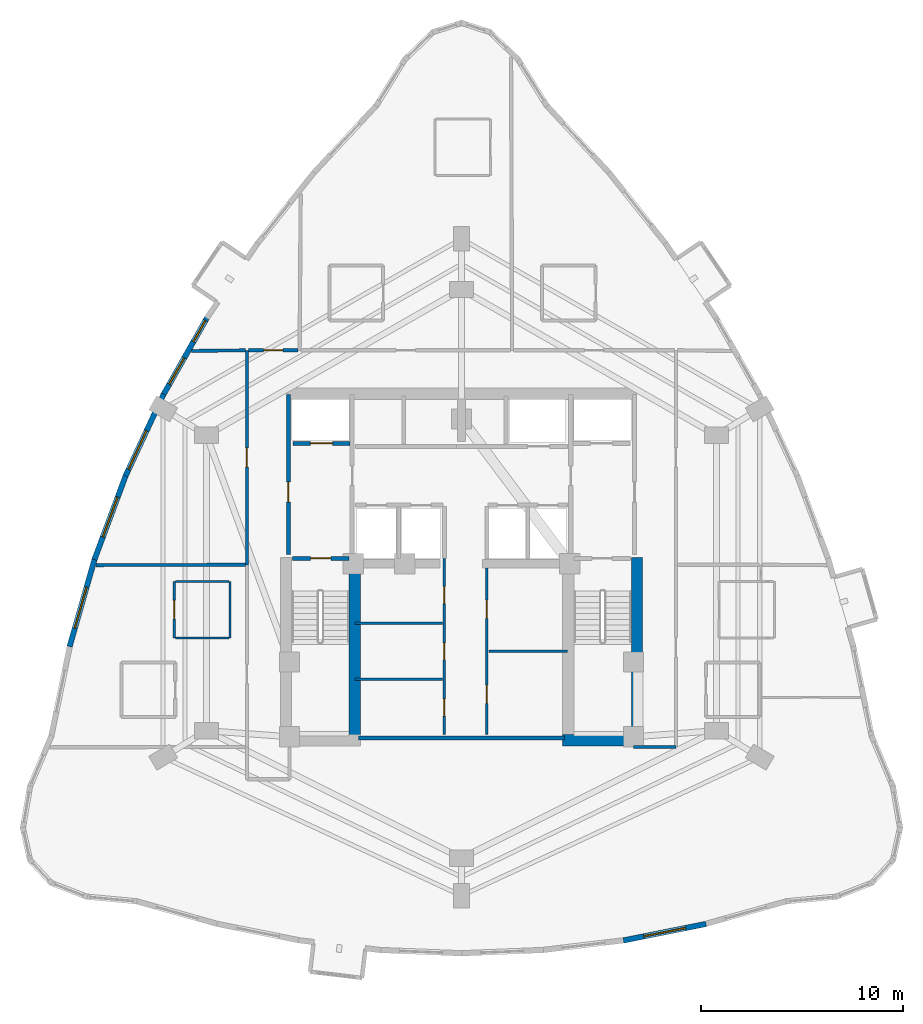
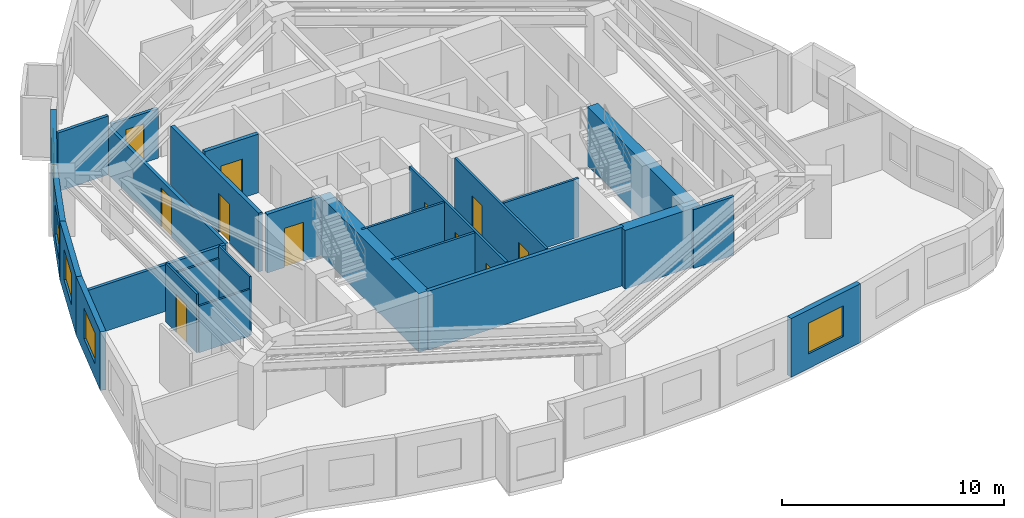
# One storey, part 4 of 9: 26 walls, 11 doors, 6 windows, 17 openings.
"""IFC4 building model written with IfcOpenShell, lengths in metres."""

from ifc_helpers import new_model, si_unit, direction, frame, frame_2d, origin, place, context, subcontext, project, spatial, rectangle, extrude, material, layer, layer_set, type_object, element, fill, save


model = new_model("IFC4")

# Units and contexts
model_context = context("Model", 3, precision=1e-05, world=origin(), true_north=direction((0.0, 1.0)))
body_context = subcontext(model_context, "Body", "Model", "MODEL_VIEW")
ifc_project = project(units=[si_unit("LENGTHUNIT", "METRE"), si_unit("AREAUNIT", "SQUARE_METRE"), si_unit("VOLUMEUNIT", "CUBIC_METRE"), si_unit("PLANEANGLEUNIT", "RADIAN"), si_unit("MASSUNIT", "GRAM", prefix="KILO")], contexts=[model_context])

# Site, building, storey
site_placement = place(None, origin())
site = spatial("IfcSite", under=ifc_project, at=site_placement, CompositionType="ELEMENT")
building_placement = place(site_placement, origin())
building = spatial("IfcBuilding", under=site, at=building_placement, Name="Miruveldt Soraemaru", CompositionType="ELEMENT")
storey_placement = place(building_placement, frame((0.0, 0.0, 138.89990234375)))
storey = spatial("IfcBuildingStorey", under=building, at=storey_placement, Name="L38", CompositionType="ELEMENT", Elevation=138.89990234375)

# Walls
ifc_material_1 = material(Name="Concrete C70/85 (70 MPa)", Category="concrete")
ifc_layer_1 = layer(ifc_material_1, 0.550048828125, Name="Concrete C70/85 (70 MPa)", Category="concrete")
ifc_layer_set_1 = layer_set([ifc_layer_1], Name="Concrete C70/85 (70 MPa)")
wall_type_1 = type_object("IfcWallType", Name="WALL-CW-550", PredefinedType="SHEAR", material=ifc_layer_set_1)
wall_1_placement = place(storey_placement, frame((49.0, 35.324951171875, 0.0), z_axis=(0.0, 0.0, 1.0), x_axis=(1.0, 0.0, 0.0)))
element("IfcWall", 1, at=wall_1_placement, inside=storey, type_object=wall_type_1, Name="L38 Central Core Shear Wall S2", PredefinedType="SHEAR", context=body_context, shape_type="SweptSolid", body=[
    extrude(rectangle(XDim=3.949951171875, YDim=0.550048828125, at=frame_2d((1.97509765625, 0.0))), origin(), (0.0, 0.0, 1.0), 3.235107421875),
])
wall_2_placement = place(storey_placement, frame((52.675048828125, 35.050048828125, 0.0), z_axis=(0.0, 0.0, 1.0), x_axis=(0.0, 1.0, 0.0)))
element("IfcWall", 2, at=wall_2_placement, inside=storey, type_object=wall_type_1, Name="L38 Central Core Shear Wall E1", PredefinedType="SHEAR", context=body_context, shape_type="SweptSolid", body=[
    extrude(rectangle(XDim=9.300048828125, YDim=0.550048828125, at=frame_2d((4.64990234375, 0.0))), origin(), (0.0, 0.0, 1.0), 3.235107421875),
])
wall_3_placement = place(storey_placement, frame((38.72509765625, 35.39990234375, 0.0), z_axis=(0.0, 0.0, 1.0), x_axis=(0.0, 1.0, 0.0)))
element("IfcWall", 3, at=wall_3_placement, inside=storey, type_object=wall_type_1, Name="L38 Central Core Shear Wall SW-INT", PredefinedType="SHEAR", context=body_context, shape_type="SweptSolid", body=[
    extrude(rectangle(XDim=8.9501953125, YDim=0.550048828125, at=frame_2d((4.47509765625, 0.0))), origin(), (0.0, 0.0, 1.0), 3.235107421875),
])

# Wall, openings, windows
ifc_material_2 = material(Name="Precast concrete C45/55 (45 MPa)", Category="concrete")
ifc_layer_2 = layer(ifc_material_2, 0.27001953125, Name="Precast concrete C45/55 (45 MPa)", Category="concrete")
ifc_layer_set_2 = layer_set([ifc_layer_2], Name="Precast concrete C45/55 (45 MPa)")
wall_type_2 = type_object("IfcWallType", Name="WALL-EXT-PC270", PredefinedType="SOLIDWALL", material=ifc_layer_set_2)
wall_4_placement = place(storey_placement, frame((31.446044921875, 56.247314453125, 0.0), z_axis=(0.0, 0.0, 1.0), x_axis=(-0.493387123511, -0.869809833443, 0.0)))
wall_4 = element("IfcWall", 4, at=wall_4_placement, inside=storey, type_object=wall_type_2, Name="L38 Precast Concrete Facade Wall 10", PredefinedType="SOLIDWALL", context=body_context, shape_type="SweptSolid", body=[
    extrude(rectangle(XDim=4.456298828125, YDim=0.27001953125, at=frame_2d((2.22802734375, 0.0))), origin(), (0.0, 0.0, 1.0), 3.235107421875),
])
opening_1_placement = place(wall_4_placement, frame((0.2041015625, 0.0, 0.780029296875)))
opening_1 = element("IfcOpeningElement", 5, at=opening_1_placement, cuts=wall_4, Name="Opening WN-4", PredefinedType="OPENING", context=body_context, shape_type="SweptSolid", body=[
    extrude(rectangle(XDim=1.199951171875, YDim=1.550048828125, at=frame_2d((0.60009765625, 0.77490234375))), frame((0.0, 0.14501953125, 0.0), z_axis=(0.0, -1.0, 0.0), x_axis=(1.0, 0.0, 0.0)), (0.0, 0.0, 1.0), 0.2900390625),
])
opening_2_placement = place(wall_4_placement, frame((2.323974609375, 0.0, 0.800048828125)))
opening_2 = element("IfcOpeningElement", 6, at=opening_2_placement, cuts=wall_4, Name="Opening WN-3", PredefinedType="OPENING", context=body_context, shape_type="SweptSolid", body=[
    extrude(rectangle(XDim=1.5, YDim=1.60009765625, at=frame_2d((0.75, 0.800048828125))), frame((0.0, 0.14501953125, 0.0), z_axis=(0.0, -1.0, 0.0), x_axis=(1.0, 0.0, 0.0)), (0.0, 0.0, 1.0), 0.2900390625),
])
ifc_material_3 = material(Name="Triple low-e insulated glazing", Category="glass")
window_type_1 = type_object("IfcWindowType", Name="WIN-PUNCH-1200x1550", PartitioningType="SINGLE_PANEL", PredefinedType="WINDOW", material=ifc_material_3)
window_1_placement = place(opening_1_placement, origin())
window_1 = element("IfcWindow", 7, at=window_1_placement, inside=storey, type_object=window_type_1, Name="L38 Punched Triple-Glazed Window 10.1", OverallHeight=1.550048828125, OverallWidth=1.199951171875, PartitioningType="SINGLE_PANEL", PredefinedType="WINDOW", context=body_context, shape_type="SweptSolid", body=[
    extrude(rectangle(XDim=1.199951171875, YDim=1.550048828125, at=frame_2d((0.60009765625, 0.77490234375))), frame((0.0, 0.030029296875, 0.0), z_axis=(0.0, -1.0, 0.0), x_axis=(1.0, 0.0, 0.0)), (0.0, 0.0, 1.0), 0.06005859375),
])
fill(opening_1, window_1)
window_type_2 = type_object("IfcWindowType", Name="WIN-PUNCH-1500x1600", PartitioningType="SINGLE_PANEL", PredefinedType="WINDOW", material=ifc_material_3)
window_2_placement = place(opening_2_placement, origin())
window_2 = element("IfcWindow", 8, at=window_2_placement, inside=storey, type_object=window_type_2, Name="L38 Punched Triple-Glazed Window 10.2", OverallHeight=1.60009765625, OverallWidth=1.5, PartitioningType="SINGLE_PANEL", PredefinedType="WINDOW", context=body_context, shape_type="SweptSolid", body=[
    extrude(rectangle(XDim=1.5, YDim=1.60009765625, at=frame_2d((0.75, 0.800048828125))), frame((0.0, 0.030029296875, 0.0), z_axis=(0.0, -1.0, 0.0), x_axis=(1.0, 0.0, 0.0)), (0.0, 0.0, 1.0), 0.06005859375),
])
fill(opening_2, window_2)

# Wall, opening, window
wall_5_placement = place(storey_placement, frame((29.279296875, 52.43310546875, 0.0), z_axis=(0.0, 0.0, 1.0), x_axis=(-0.422279541347, -0.906465657904, 0.0)))
wall_5 = element("IfcWall", 9, at=wall_5_placement, inside=storey, type_object=wall_type_2, Name="L38 Precast Concrete Facade Wall 11", PredefinedType="SOLIDWALL", context=body_context, shape_type="SweptSolid", body=[
    extrude(rectangle(XDim=4.456298828125, YDim=0.27001953125, at=frame_2d((2.22802734375, 0.0))), origin(), (0.0, 0.0, 1.0), 3.235107421875),
])
opening_3_placement = place(wall_5_placement, frame((1.9970703125, 0.0, 0.800048828125)))
opening_3 = element("IfcOpeningElement", 10, at=opening_3_placement, cuts=wall_5, Name="Opening WN-1", PredefinedType="OPENING", context=body_context, shape_type="SweptSolid", body=[
    extrude(rectangle(XDim=2.10009765625, YDim=1.699951171875, at=frame_2d((1.050048828125, 0.85009765625))), frame((0.0, 0.14501953125, 0.0), z_axis=(0.0, -1.0, 0.0), x_axis=(1.0, 0.0, 0.0)), (0.0, 0.0, 1.0), 0.2900390625),
])
window_type_3 = type_object("IfcWindowType", Name="WIN-PUNCH-2100x1700", PartitioningType="SINGLE_PANEL", PredefinedType="WINDOW", material=ifc_material_3)
window_3_placement = place(opening_3_placement, origin())
window_3 = element("IfcWindow", 11, at=window_3_placement, inside=storey, type_object=window_type_3, Name="L38 Punched Triple-Glazed Window 11.1", OverallHeight=1.699951171875, OverallWidth=2.10009765625, PartitioningType="SINGLE_PANEL", PredefinedType="WINDOW", context=body_context, shape_type="SweptSolid", body=[
    extrude(rectangle(XDim=2.10009765625, YDim=1.699951171875, at=frame_2d((1.050048828125, 0.85009765625))), frame((0.0, 0.030029296875, 0.0), z_axis=(0.0, -1.0, 0.0), x_axis=(1.0, 0.0, 0.0)), (0.0, 0.0, 1.0), 0.06005859375),
])
fill(opening_3, window_3)

wall_6_placement = place(storey_placement, frame((27.42431640625, 48.4580078125, 0.0), z_axis=(0.0, 0.0, 1.0), x_axis=(-0.349028406378, -0.937112144592, 0.0)))
wall_6 = element("IfcWall", 12, at=wall_6_placement, inside=storey, type_object=wall_type_2, Name="L38 Precast Concrete Facade Wall 12", PredefinedType="SOLIDWALL", context=body_context, shape_type="SweptSolid", body=[
    extrude(rectangle(XDim=4.484375, YDim=0.27001953125, at=frame_2d((2.2421875, 0.0))), origin(), (0.0, 0.0, 1.0), 3.235107421875),
])
opening_4_placement = place(wall_6_placement, frame((1.18701171875, 0.0, 0.800048828125)))
opening_4 = element("IfcOpeningElement", 13, at=opening_4_placement, cuts=wall_6, Name="Opening WN-1", PredefinedType="OPENING", context=body_context, shape_type="SweptSolid", body=[
    extrude(rectangle(XDim=2.10009765625, YDim=1.699951171875, at=frame_2d((1.050048828125, 0.85009765625))), frame((0.0, 0.14501953125, 0.0), z_axis=(0.0, -1.0, 0.0), x_axis=(1.0, 0.0, 0.0)), (0.0, 0.0, 1.0), 0.2900390625),
])
window_4_placement = place(opening_4_placement, origin())
window_4 = element("IfcWindow", 14, at=window_4_placement, inside=storey, type_object=window_type_3, Name="L38 Punched Triple-Glazed Window 12.1", OverallHeight=1.699951171875, OverallWidth=2.10009765625, PartitioningType="SINGLE_PANEL", PredefinedType="WINDOW", context=body_context, shape_type="SweptSolid", body=[
    extrude(rectangle(XDim=2.10009765625, YDim=1.699951171875, at=frame_2d((1.050048828125, 0.85009765625))), frame((0.0, 0.030029296875, 0.0), z_axis=(0.0, -1.0, 0.0), x_axis=(1.0, 0.0, 0.0)), (0.0, 0.0, 1.0), 0.06005859375),
])
fill(opening_4, window_4)

wall_7_placement = place(storey_placement, frame((25.881103515625, 44.322021484375, 0.0), z_axis=(0.0, 0.0, 1.0), x_axis=(-0.275005210101, -0.961442735901, 0.0)))
wall_7 = element("IfcWall", 15, at=wall_7_placement, inside=storey, type_object=wall_type_2, Name="L38 Precast Concrete Facade Wall 13", PredefinedType="SOLIDWALL", context=body_context, shape_type="SweptSolid", body=[
    extrude(rectangle(XDim=4.5400390625, YDim=0.27001953125, at=frame_2d((2.27001953125, 0.0))), origin(), (0.0, 0.0, 1.0), 3.235107421875),
])
opening_5_placement = place(wall_7_placement, frame((1.49609375, 0.0, 0.800048828125)))
opening_5 = element("IfcOpeningElement", 16, at=opening_5_placement, cuts=wall_7, Name="Opening WN-1", PredefinedType="OPENING", context=body_context, shape_type="SweptSolid", body=[
    extrude(rectangle(XDim=2.10009765625, YDim=1.699951171875, at=frame_2d((1.050048828125, 0.85009765625))), frame((0.0, 0.14501953125, 0.0), z_axis=(0.0, -1.0, 0.0), x_axis=(1.0, 0.0, 0.0)), (0.0, 0.0, 1.0), 0.2900390625),
])
window_5_placement = place(opening_5_placement, origin())
window_5 = element("IfcWindow", 17, at=window_5_placement, inside=storey, type_object=window_type_3, Name="L38 Punched Triple-Glazed Window 13.1", OverallHeight=1.699951171875, OverallWidth=2.10009765625, PartitioningType="SINGLE_PANEL", PredefinedType="WINDOW", context=body_context, shape_type="SweptSolid", body=[
    extrude(rectangle(XDim=2.10009765625, YDim=1.699951171875, at=frame_2d((1.050048828125, 0.85009765625))), frame((0.0, 0.030029296875, 0.0), z_axis=(0.0, -1.0, 0.0), x_axis=(1.0, 0.0, 0.0)), (0.0, 0.0, 1.0), 0.06005859375),
])
fill(opening_5, window_5)

wall_8_placement = place(storey_placement, frame((51.998779296875, 25.43310546875, 0.0), z_axis=(0.0, 0.0, 1.0), x_axis=(0.980587436878, 0.19608232617, 0.0)))
wall_8 = element("IfcWall", 18, at=wall_8_placement, inside=storey, type_object=wall_type_2, Name="L38 Precast Concrete Facade Wall 27", PredefinedType="SOLIDWALL", context=body_context, shape_type="SweptSolid", body=[
    extrude(rectangle(XDim=4.166015625, YDim=0.27001953125, at=frame_2d((2.0830078125, 0.0))), origin(), (0.0, 0.0, 1.0), 3.235107421875),
])
opening_6_placement = place(wall_8_placement, frame((1.032958984375, 0.0, 0.800048828125)))
opening_6 = element("IfcOpeningElement", 19, at=opening_6_placement, cuts=wall_8, Name="Opening WN-1", PredefinedType="OPENING", context=body_context, shape_type="SweptSolid", body=[
    extrude(rectangle(XDim=2.10009765625, YDim=1.699951171875, at=frame_2d((1.050048828125, 0.85009765625))), frame((0.0, 0.14501953125, 0.0), z_axis=(0.0, -1.0, 0.0), x_axis=(1.0, 0.0, 0.0)), (0.0, 0.0, 1.0), 0.2900390625),
])
window_6_placement = place(opening_6_placement, origin())
window_6 = element("IfcWindow", 20, at=window_6_placement, inside=storey, type_object=window_type_3, Name="L38 Punched Triple-Glazed Window 27.1", OverallHeight=1.699951171875, OverallWidth=2.10009765625, PartitioningType="SINGLE_PANEL", PredefinedType="WINDOW", context=body_context, shape_type="SweptSolid", body=[
    extrude(rectangle(XDim=2.10009765625, YDim=1.699951171875, at=frame_2d((1.050048828125, 0.85009765625))), frame((0.0, 0.030029296875, 0.0), z_axis=(0.0, -1.0, 0.0), x_axis=(1.0, 0.0, 0.0)), (0.0, 0.0, 1.0), 0.06005859375),
])
fill(opening_6, window_6)

# Wall, opening, door
ifc_material_4 = material(Name="Gypsum plasterboard lining", Category="gypsum")
ifc_layer_3 = layer(ifc_material_4, 0.10009765625, Name="Gypsum plasterboard lining", Category="gypsum")
ifc_layer_set_3 = layer_set([ifc_layer_3], Name="Gypsum plasterboard lining")
wall_type_3 = type_object("IfcWallType", Name="WALL-INT-P100", PredefinedType="PARTITIONING", material=ifc_layer_set_3)
wall_9_placement = place(storey_placement, frame((29.804931640625, 43.179931640625, 0.0), z_axis=(0.0, 0.0, 1.0), x_axis=(0.0, -1.0, 0.0)))
wall_9 = element("IfcWall", 21, at=wall_9_placement, inside=storey, type_object=wall_type_3, Name="L38 Partition Wall 35", PredefinedType="PARTITIONING", context=body_context, shape_type="SweptSolid", body=[
    extrude(rectangle(XDim=2.800048828125, YDim=0.10009765625, at=frame_2d((1.39990234375, 0.0))), origin(), (0.0, 0.0, 1.0), 3.235107421875),
])
opening_7_placement = place(wall_9_placement, frame((0.93994140625, 0.0, 0.0)))
opening_7 = element("IfcOpeningElement", 22, at=opening_7_placement, cuts=wall_9, Name="Opening D3A", PredefinedType="OPENING", context=body_context, shape_type="SweptSolid", body=[
    extrude(rectangle(XDim=0.919921875, YDim=2.10009765625, at=frame_2d((0.4599609375, 1.050048828125))), frame((0.0, 0.06005859375, 0.0), z_axis=(0.0, -1.0, 0.0), x_axis=(1.0, 0.0, 0.0)), (0.0, 0.0, 1.0), 0.1201171875),
])
ifc_material_5 = material(Name="Anodised aluminium EN AW-6063 T6", Category="aluminium")
door_type_1 = type_object("IfcDoorType", Name="DOOR-INT-920", OperationType="NOTDEFINED", PredefinedType="DOOR", material=ifc_material_5)
door_1_placement = place(opening_7_placement, origin())
door_1 = element("IfcDoor", 23, at=door_1_placement, inside=storey, type_object=door_type_1, Name="L38 Unit 3805 KIT Door", OperationType="SINGLE_SWING_RIGHT", OverallHeight=2.10009765625, OverallWidth=0.919921875, PredefinedType="DOOR", context=body_context, shape_type="SweptSolid", body=[
    extrude(rectangle(XDim=0.919921875, YDim=2.10009765625, at=frame_2d((0.4599609375, 1.050048828125))), frame((0.0, 0.02490234375, 0.0), z_axis=(0.0, -1.0, 0.0), x_axis=(1.0, 0.0, 0.0)), (0.0, 0.0, 1.0), 0.050048828125),
])
fill(opening_7, door_1)

# Walls
wall_10_placement = place(storey_placement, frame((32.554931640625, 40.3798828125, 0.0), z_axis=(0.0, 0.0, 1.0), x_axis=(0.0, 1.0, 0.0)))
element("IfcWall", 24, at=wall_10_placement, inside=storey, type_object=wall_type_3, Name="L38 Partition Wall 33", PredefinedType="PARTITIONING", context=body_context, shape_type="SweptSolid", body=[
    extrude(rectangle(XDim=2.800048828125, YDim=0.10009765625, at=frame_2d((1.39990234375, 0.0))), origin(), (0.0, 0.0, 1.0), 3.235107421875),
])
for number, where, z_axis, x_axis, name in (
    (25, (32.5048828125, 43.179931640625, 0.0), (0.0, 0.0, 1.0), (-1.0, 0.0, 0.0), "L38 Partition Wall 34"),
    (26, (29.85498046875, 40.3798828125, 0.0), (0.0, 0.0, 1.0), (1.0, 0.0, 0.0), "L38 Partition Wall 36"),
):
    element("IfcWall", number, at=place(storey_placement, frame(where, z_axis=z_axis, x_axis=x_axis)), inside=storey, type_object=wall_type_3, Name=name, PredefinedType="PARTITIONING", context=body_context, shape_type="SweptSolid", body=[
        extrude(rectangle(XDim=2.64990234375, YDim=0.10009765625, at=frame_2d((1.324951171875, 0.0))), origin(), (0.0, 0.0, 1.0), 2.572998046875),
    ])

# Wall, openings, doors
ifc_layer_4 = layer(ifc_material_4, 0.1201171875, Name="Gypsum plasterboard lining", Category="gypsum")
ifc_layer_set_4 = layer_set([ifc_layer_4], Name="Gypsum plasterboard lining")
wall_type_4 = type_object("IfcWallType", Name="WALL-INT-P120", PredefinedType="PARTITIONING", material=ifc_layer_set_4)
wall_11_placement = place(storey_placement, frame((43.14990234375, 35.60009765625, 0.0), z_axis=(0.0, 0.0, 1.0), x_axis=(0.0, 1.0, 0.0)))
wall_11 = element("IfcWall", 27, at=wall_11_placement, inside=storey, type_object=wall_type_4, Name="L38 Core Compartment Wall SP-WL", PredefinedType="PARTITIONING", context=body_context, shape_type="SweptSolid", body=[
    extrude(rectangle(XDim=8.699951171875, YDim=0.1201171875, at=frame_2d((4.35009765625, 0.0))), origin(), (0.0, 0.0, 1.0), 3.235107421875),
])
opening_8_placement = place(wall_11_placement, frame((0.925048828125, 0.0, 0.0)))
opening_8 = element("IfcOpeningElement", 28, at=opening_8_placement, cuts=wall_11, Name="Opening FD3", PredefinedType="OPENING", context=body_context, shape_type="SweptSolid", body=[
    extrude(rectangle(XDim=0.85009765625, YDim=2.10009765625, at=frame_2d((0.425048828125, 1.050048828125))), frame((0.0, 0.070068359375, 0.0), z_axis=(0.0, -1.0, 0.0), x_axis=(1.0, 0.0, 0.0)), (0.0, 0.0, 1.0), 0.14013671875),
])
opening_9_placement = place(wall_11_placement, frame((3.695068359375, 0.0, 0.0)))
opening_9 = element("IfcOpeningElement", 29, at=opening_9_placement, cuts=wall_11, Name="Opening FD3", PredefinedType="OPENING", context=body_context, shape_type="SweptSolid", body=[
    extrude(rectangle(XDim=0.85009765625, YDim=2.10009765625, at=frame_2d((0.425048828125, 1.050048828125))), frame((0.0, 0.070068359375, 0.0), z_axis=(0.0, -1.0, 0.0), x_axis=(1.0, 0.0, 0.0)), (0.0, 0.0, 1.0), 0.14013671875),
])
opening_10_placement = place(wall_11_placement, frame((6.47509765625, 0.0, 0.0)))
opening_10 = element("IfcOpeningElement", 30, at=opening_10_placement, cuts=wall_11, Name="Opening FD3", PredefinedType="OPENING", context=body_context, shape_type="SweptSolid", body=[
    extrude(rectangle(XDim=0.85009765625, YDim=2.10009765625, at=frame_2d((0.425048828125, 1.050048828125))), frame((0.0, 0.070068359375, 0.0), z_axis=(0.0, -1.0, 0.0), x_axis=(1.0, 0.0, 0.0)), (0.0, 0.0, 1.0), 0.14013671875),
])
door_type_2 = type_object("IfcDoorType", Name="DOOR-FD3-850", OperationType="NOTDEFINED", PredefinedType="DOOR", material=ifc_material_5)
door_2_placement = place(opening_8_placement, origin())
door_2 = element("IfcDoor", 31, at=door_2_placement, inside=storey, type_object=door_type_2, Name="L38 Fire Door", OperationType="SINGLE_SWING_LEFT", OverallHeight=2.10009765625, OverallWidth=0.85009765625, PredefinedType="DOOR", context=body_context, shape_type="SweptSolid", body=[
    extrude(rectangle(XDim=0.85009765625, YDim=2.10009765625, at=frame_2d((0.425048828125, 1.050048828125))), frame((0.0, 0.02490234375, 0.0), z_axis=(0.0, -1.0, 0.0), x_axis=(1.0, 0.0, 0.0)), (0.0, 0.0, 1.0), 0.050048828125),
])
fill(opening_8, door_2)
door_3_placement = place(opening_9_placement, origin())
door_3 = element("IfcDoor", 32, at=door_3_placement, inside=storey, type_object=door_type_2, Name="L38 Fire Door", OperationType="SINGLE_SWING_LEFT", OverallHeight=2.10009765625, OverallWidth=0.85009765625, PredefinedType="DOOR", context=body_context, shape_type="SweptSolid", body=[
    extrude(rectangle(XDim=0.85009765625, YDim=2.10009765625, at=frame_2d((0.425048828125, 1.050048828125))), frame((0.0, 0.02490234375, 0.0), z_axis=(0.0, -1.0, 0.0), x_axis=(1.0, 0.0, 0.0)), (0.0, 0.0, 1.0), 0.050048828125),
])
fill(opening_9, door_3)
door_4_placement = place(opening_10_placement, origin())
door_4 = element("IfcDoor", 33, at=door_4_placement, inside=storey, type_object=door_type_2, Name="L38 Fire Door", OperationType="SINGLE_SWING_LEFT", OverallHeight=2.10009765625, OverallWidth=0.85009765625, PredefinedType="DOOR", context=body_context, shape_type="SweptSolid", body=[
    extrude(rectangle(XDim=0.85009765625, YDim=2.10009765625, at=frame_2d((0.425048828125, 1.050048828125))), frame((0.0, 0.02490234375, 0.0), z_axis=(0.0, -1.0, 0.0), x_axis=(1.0, 0.0, 0.0)), (0.0, 0.0, 1.0), 0.050048828125),
])
fill(opening_10, door_4)

wall_12_placement = place(storey_placement, frame((45.25, 35.60009765625, 0.0), z_axis=(0.0, 0.0, 1.0), x_axis=(0.0, 1.0, 0.0)))
wall_12 = element("IfcWall", 34, at=wall_12_placement, inside=storey, type_object=wall_type_4, Name="L38 Core Compartment Wall SP-EL", PredefinedType="PARTITIONING", context=body_context, shape_type="SweptSolid", body=[
    extrude(rectangle(XDim=8.25, YDim=0.1201171875, at=frame_2d((4.125, 0.0))), origin(), (0.0, 0.0, 1.0), 3.235107421875),
])
opening_11_placement = place(wall_12_placement, frame((1.550048828125, 0.0, 0.0)))
opening_11 = element("IfcOpeningElement", 35, at=opening_11_placement, cuts=wall_12, Name="Opening D3", PredefinedType="OPENING", context=body_context, shape_type="SweptSolid", body=[
    extrude(rectangle(XDim=0.89990234375, YDim=2.10009765625, at=frame_2d((0.449951171875, 1.050048828125))), frame((0.0, 0.070068359375, 0.0), z_axis=(0.0, -1.0, 0.0), x_axis=(1.0, 0.0, 0.0)), (0.0, 0.0, 1.0), 0.14013671875),
])
opening_12_placement = place(wall_12_placement, frame((5.75, 0.0, 0.0)))
opening_12 = element("IfcOpeningElement", 36, at=opening_12_placement, cuts=wall_12, Name="Opening D3", PredefinedType="OPENING", context=body_context, shape_type="SweptSolid", body=[
    extrude(rectangle(XDim=0.89990234375, YDim=2.10009765625, at=frame_2d((0.449951171875, 1.050048828125))), frame((0.0, 0.070068359375, 0.0), z_axis=(0.0, -1.0, 0.0), x_axis=(1.0, 0.0, 0.0)), (0.0, 0.0, 1.0), 0.14013671875),
])
door_type_3 = type_object("IfcDoorType", Name="DOOR-INT-900", OperationType="NOTDEFINED", PredefinedType="DOOR", material=ifc_material_5)
door_5_placement = place(opening_11_placement, origin())
door_5 = element("IfcDoor", 37, at=door_5_placement, inside=storey, type_object=door_type_3, Name="L38 Fire Door", OperationType="SINGLE_SWING_LEFT", OverallHeight=2.10009765625, OverallWidth=0.89990234375, PredefinedType="DOOR", context=body_context, shape_type="SweptSolid", body=[
    extrude(rectangle(XDim=0.89990234375, YDim=2.10009765625, at=frame_2d((0.449951171875, 1.050048828125))), frame((0.0, 0.02490234375, 0.0), z_axis=(0.0, -1.0, 0.0), x_axis=(1.0, 0.0, 0.0)), (0.0, 0.0, 1.0), 0.050048828125),
])
fill(opening_11, door_5)
door_6_placement = place(opening_12_placement, origin())
door_6 = element("IfcDoor", 38, at=door_6_placement, inside=storey, type_object=door_type_3, Name="L38 Fire Door", OperationType="SINGLE_SWING_LEFT", OverallHeight=2.10009765625, OverallWidth=0.89990234375, PredefinedType="DOOR", context=body_context, shape_type="SweptSolid", body=[
    extrude(rectangle(XDim=0.89990234375, YDim=2.10009765625, at=frame_2d((0.449951171875, 1.050048828125))), frame((0.0, 0.02490234375, 0.0), z_axis=(0.0, -1.0, 0.0), x_axis=(1.0, 0.0, 0.0)), (0.0, 0.0, 1.0), 0.050048828125),
])
fill(opening_12, door_6)

# Walls
for number, where, z_axis, x_axis, name in (
    (39, (38.75, 38.35009765625, 0.0), (0.0, 0.0, 1.0), (1.0, 0.0, 0.0), "L38 Core Compartment Wall RL-W3A"),
    (40, (38.75, 41.10009765625, 0.0), (0.0, 0.0, 1.0), (1.0, 0.0, 0.0), "L38 Core Compartment Wall RL-W3B"),
):
    element("IfcWall", number, at=place(storey_placement, frame(where, z_axis=z_axis, x_axis=x_axis)), inside=storey, type_object=wall_type_4, Name=name, PredefinedType="PARTITIONING", context=body_context, shape_type="SweptSolid", body=[
        extrude(rectangle(XDim=4.300048828125, YDim=0.1201171875, at=frame_2d((2.14990234375, 0.0))), origin(), (0.0, 0.0, 1.0), 3.235107421875),
    ])
wall_13_placement = place(storey_placement, frame((45.35009765625, 39.719970703125, 0.0), z_axis=(0.0, 0.0, 1.0), x_axis=(1.0, 0.0, 0.0)))
element("IfcWall", 41, at=wall_13_placement, inside=storey, type_object=wall_type_4, Name="L38 Core Compartment Wall RL-E3H", PredefinedType="PARTITIONING", context=body_context, shape_type="SweptSolid", body=[
    extrude(rectangle(XDim=3.89990234375, YDim=0.1201171875, at=frame_2d((1.949951171875, 0.0))), origin(), (0.0, 0.0, 1.0), 3.235107421875),
])

# Wall, opening, door
ifc_material_6 = material(Name="Concrete C40/50 (40 MPa)", Category="concrete")
ifc_layer_5 = layer(ifc_material_6, 0.159912109375, Name="Concrete C40/50 (40 MPa)", Category="concrete")
ifc_layer_set_5 = layer_set([ifc_layer_5], Name="Concrete C40/50 (40 MPa)")
wall_type_5 = type_object("IfcWallType", Name="WALL-INT-RC160", PredefinedType="SOLIDWALL", material=ifc_layer_set_5)
wall_14_placement = place(storey_placement, frame((33.39990234375, 54.60009765625, 0.0), z_axis=(0.0, 0.0, 1.0), x_axis=(0.0, -1.0, 0.0)))
wall_14 = element("IfcWall", 42, at=wall_14_placement, inside=storey, type_object=wall_type_5, Name="L38 Partition Wall 4", PredefinedType="SOLIDWALL", context=body_context, shape_type="SweptSolid", body=[
    extrude(rectangle(XDim=10.60009765625, YDim=0.159912109375, at=frame_2d((5.300048828125, 0.0))), origin(), (0.0, 0.0, 1.0), 2.572998046875),
])
opening_13_placement = place(wall_14_placement, frame((4.824951171875, 0.0, 0.0)))
opening_13 = element("IfcOpeningElement", 43, at=opening_13_placement, cuts=wall_14, Name="Opening FD2", PredefinedType="OPENING", context=body_context, shape_type="SweptSolid", body=[
    extrude(rectangle(XDim=0.949951171875, YDim=2.14990234375, at=frame_2d((0.47509765625, 1.074951171875))), frame((0.0, 0.08984375, 0.0), z_axis=(0.0, -1.0, 0.0), x_axis=(1.0, 0.0, 0.0)), (0.0, 0.0, 1.0), 0.179931640625),
])
door_type_4 = type_object("IfcDoorType", Name="DOOR-FD2-950", OperationType="NOTDEFINED", PredefinedType="DOOR", material=ifc_material_5)
door_7_placement = place(opening_13_placement, origin())
door_7 = element("IfcDoor", 44, at=door_7_placement, inside=storey, type_object=door_type_4, Name="L38 Unit CL04 Entrance Fire Door", OperationType="SINGLE_SWING_LEFT", OverallHeight=2.14990234375, OverallWidth=0.949951171875, PredefinedType="DOOR", context=body_context, shape_type="SweptSolid", body=[
    extrude(rectangle(XDim=0.949951171875, YDim=2.14990234375, at=frame_2d((0.47509765625, 1.074951171875))), frame((0.0, 0.02490234375, 0.0), z_axis=(0.0, -1.0, 0.0), x_axis=(1.0, 0.0, 0.0)), (0.0, 0.0, 1.0), 0.050048828125),
])
fill(opening_13, door_7)

wall_15_placement = place(storey_placement, frame((35.919921875, 54.60009765625, 0.0), z_axis=(0.0, 0.0, 1.0), x_axis=(-1.0, 0.0, 0.0)))
wall_15 = element("IfcWall", 45, at=wall_15_placement, inside=storey, type_object=wall_type_5, Name="L38 Partition Wall 1", PredefinedType="SOLIDWALL", context=body_context, shape_type="SweptSolid", body=[
    extrude(rectangle(XDim=2.43994140625, YDim=0.159912109375, at=frame_2d((1.219970703125, 0.0))), origin(), (0.0, 0.0, 1.0), 2.72314453125),
])
opening_14_placement = place(wall_15_placement, frame((0.7451171875, 0.0, 0.0)))
opening_14 = element("IfcOpeningElement", 46, at=opening_14_placement, cuts=wall_15, Name="Opening FD2", PredefinedType="OPENING", context=body_context, shape_type="SweptSolid", body=[
    extrude(rectangle(XDim=0.949951171875, YDim=2.14990234375, at=frame_2d((0.47509765625, 1.074951171875))), frame((0.0, 0.08984375, 0.0), z_axis=(0.0, -1.0, 0.0), x_axis=(1.0, 0.0, 0.0)), (0.0, 0.0, 1.0), 0.179931640625),
])
door_8_placement = place(opening_14_placement, origin())
door_8 = element("IfcDoor", 47, at=door_8_placement, inside=storey, type_object=door_type_4, Name="L38 Unit CL01 Entrance Fire Door", OperationType="SINGLE_SWING_LEFT", OverallHeight=2.14990234375, OverallWidth=0.949951171875, PredefinedType="DOOR", context=body_context, shape_type="SweptSolid", body=[
    extrude(rectangle(XDim=0.949951171875, YDim=2.14990234375, at=frame_2d((0.47509765625, 1.074951171875))), frame((0.0, 0.02490234375, 0.0), z_axis=(0.0, -1.0, 0.0), x_axis=(1.0, 0.0, 0.0)), (0.0, 0.0, 1.0), 0.050048828125),
])
fill(opening_14, door_8)

# Walls
wall_16_placement = place(storey_placement, frame((25.93896484375, 43.98095703125, 0.0), z_axis=(0.0, 0.0, 1.0), x_axis=(0.999996671914, 0.002579953707, 0.0)))
element("IfcWall", 48, at=wall_16_placement, inside=storey, type_object=wall_type_5, Name="L38 Partition Wall 28", PredefinedType="SOLIDWALL", context=body_context, shape_type="SweptSolid", body=[
    extrude(rectangle(XDim=7.381103515625, YDim=0.159912109375, at=frame_2d((3.6904296875, 0.0))), origin(), (0.0, 0.0, 1.0), 2.572998046875),
])
wall_17_placement = place(storey_placement, frame((30.6650390625, 54.56591796875, 0.0), z_axis=(0.0, 0.0, 1.0), x_axis=(0.999921812315, 0.012504769331, 0.0)))
element("IfcWall", 49, at=wall_17_placement, inside=storey, type_object=wall_type_5, Name="L38 Partition Wall 13", PredefinedType="SOLIDWALL", context=body_context, shape_type="SweptSolid", body=[
    extrude(rectangle(XDim=2.6552734375, YDim=0.159912109375, at=frame_2d((1.32763671875, 0.0))), origin(), (0.0, 0.0, 1.0), 3.235107421875),
])
wall_18_placement = place(storey_placement, frame((52.49609375, 35.0, 0.0), z_axis=(0.0, 0.0, 1.0), x_axis=(1.0, 0.0, 0.0)))
element("IfcWall", 50, at=wall_18_placement, inside=storey, type_object=wall_type_5, Name="L38 Partition Wall 10", PredefinedType="SOLIDWALL", context=body_context, shape_type="SweptSolid", body=[
    extrude(rectangle(XDim=2.10400390625, YDim=0.159912109375, at=frame_2d((1.052001953125, 0.0))), origin(), (0.0, 0.0, 1.0), 3.235107421875),
])

# Wall, opening, door
ifc_layer_6 = layer(ifc_material_6, 0.199951171875, Name="Concrete C40/50 (40 MPa)", Category="concrete")
ifc_layer_set_6 = layer_set([ifc_layer_6], Name="Concrete C40/50 (40 MPa)")
wall_type_6 = type_object("IfcWallType", Name="WALL-INT-RC200", PredefinedType="SOLIDWALL", material=ifc_layer_set_6)
wall_19_placement = place(storey_placement, frame((35.449951171875, 44.5, 0.0), z_axis=(0.0, 0.0, 1.0), x_axis=(0.0, 1.0, 0.0)))
wall_19 = element("IfcWall", 51, at=wall_19_placement, inside=storey, type_object=wall_type_6, Name="L38 Core Compartment Wall FFW-OUT", PredefinedType="SOLIDWALL", context=body_context, shape_type="SweptSolid", body=[
    extrude(rectangle(XDim=7.919921875, YDim=0.199951171875, at=frame_2d((3.9599609375, 0.0))), origin(), (0.0, 0.0, 1.0), 3.235107421875),
])
opening_15_placement = place(wall_19_placement, frame((2.60009765625, 0.0, 0.0)))
opening_15 = element("IfcOpeningElement", 52, at=opening_15_placement, cuts=wall_19, Name="Opening FD1", PredefinedType="OPENING", context=body_context, shape_type="SweptSolid", body=[
    extrude(rectangle(XDim=1.0, YDim=2.14990234375, at=frame_2d((0.5, 1.074951171875))), frame((0.0, 0.10986328125, 0.0), z_axis=(0.0, -1.0, 0.0), x_axis=(1.0, 0.0, 0.0)), (0.0, 0.0, 1.0), 0.219970703125),
])
door_type_5 = type_object("IfcDoorType", Name="DOOR-FD1-1000", OperationType="NOTDEFINED", PredefinedType="DOOR", material=ifc_material_5)
door_9_placement = place(opening_15_placement, origin())
door_9 = element("IfcDoor", 53, at=door_9_placement, inside=storey, type_object=door_type_5, Name="L38 West Firefighting Lobby Exit Door", OperationType="SINGLE_SWING_LEFT", OverallHeight=2.14990234375, OverallWidth=1.0, PredefinedType="DOOR", context=body_context, shape_type="SweptSolid", body=[
    extrude(rectangle(XDim=1.0, YDim=2.14990234375, at=frame_2d((0.5, 1.074951171875))), frame((0.0, 0.02490234375, 0.0), z_axis=(0.0, -1.0, 0.0), x_axis=(1.0, 0.0, 0.0)), (0.0, 0.0, 1.0), 0.050048828125),
])
fill(opening_15, door_9)

wall_20_placement = place(storey_placement, frame((35.64990234375, 44.320068359375, 0.0), z_axis=(0.0, 0.0, 1.0), x_axis=(1.0, 0.0, 0.0)))
wall_20 = element("IfcWall", 54, at=wall_20_placement, inside=storey, type_object=wall_type_6, Name="L38 Core Compartment Wall ST1-N", PredefinedType="SOLIDWALL", context=body_context, shape_type="SweptSolid", body=[
    extrude(rectangle(XDim=2.800048828125, YDim=0.199951171875, at=frame_2d((1.39990234375, 0.0))), origin(), (0.0, 0.0, 1.0), 3.235107421875),
])
opening_16_placement = place(wall_20_placement, frame((0.89990234375, 0.0, 0.0)))
opening_16 = element("IfcOpeningElement", 55, at=opening_16_placement, cuts=wall_20, Name="Opening FD1", PredefinedType="OPENING", context=body_context, shape_type="SweptSolid", body=[
    extrude(rectangle(XDim=1.0, YDim=2.14990234375, at=frame_2d((0.5, 1.074951171875))), frame((0.0, 0.10986328125, 0.0), z_axis=(0.0, -1.0, 0.0), x_axis=(1.0, 0.0, 0.0)), (0.0, 0.0, 1.0), 0.219970703125),
])
door_10_placement = place(opening_16_placement, frame((1.0, 0.0, 0.0), z_axis=(0.0, 0.0, 1.0), x_axis=(-1.0, 0.0, 0.0)))
door_10 = element("IfcDoor", 56, at=door_10_placement, inside=storey, type_object=door_type_5, Name="L38 Stair ST-1 Fire Door", OperationType="SINGLE_SWING_LEFT", OverallHeight=2.14990234375, OverallWidth=1.0, PredefinedType="DOOR", context=body_context, shape_type="SweptSolid", body=[
    extrude(rectangle(XDim=1.0, YDim=2.14990234375, at=frame_2d((0.5, 1.074951171875))), frame((0.0, 0.02490234375, 0.0), z_axis=(0.0, -1.0, 0.0), x_axis=(1.0, 0.0, 0.0)), (0.0, 0.0, 1.0), 0.050048828125),
])
fill(opening_16, door_10)

wall_21_placement = place(storey_placement, frame((35.679931640625, 50.0, 0.0), z_axis=(0.0, 0.0, 1.0), x_axis=(1.0, 0.0, 0.0)))
wall_21 = element("IfcWall", 57, at=wall_21_placement, inside=storey, type_object=wall_type_6, Name="L38 Core Compartment Wall FFL1-S", PredefinedType="SOLIDWALL", context=body_context, shape_type="SweptSolid", body=[
    extrude(rectangle(XDim=2.800048828125, YDim=0.199951171875, at=frame_2d((1.39990234375, 0.0))), origin(), (0.0, 0.0, 1.0), 3.235107421875),
])
opening_17_placement = place(wall_21_placement, frame((0.85009765625, 0.0, 0.0)))
opening_17 = element("IfcOpeningElement", 58, at=opening_17_placement, cuts=wall_21, Name="Opening LD2", PredefinedType="OPENING", context=body_context, shape_type="SweptSolid", body=[
    extrude(rectangle(XDim=1.10009765625, YDim=2.14990234375, at=frame_2d((0.550048828125, 1.074951171875))), frame((0.0, 0.10986328125, 0.0), z_axis=(0.0, -1.0, 0.0), x_axis=(1.0, 0.0, 0.0)), (0.0, 0.0, 1.0), 0.219970703125),
])
door_type_6 = type_object("IfcDoorType", Name="DOOR-LD2-1100", OperationType="SLIDING_TO_LEFT", PredefinedType="DOOR", material=ifc_material_5)
door_11_placement = place(opening_17_placement, origin())
door_11 = element("IfcDoor", 59, at=door_11_placement, inside=storey, type_object=door_type_6, Name="L38 FFL-1 Landing Door", OperationType="SLIDING_TO_LEFT", OverallHeight=2.14990234375, OverallWidth=1.10009765625, PredefinedType="DOOR", context=body_context, shape_type="SweptSolid", body=[
    extrude(rectangle(XDim=1.10009765625, YDim=2.14990234375, at=frame_2d((0.550048828125, 1.074951171875))), frame((0.0, 0.02490234375, 0.0), z_axis=(0.0, -1.0, 0.0), x_axis=(1.0, 0.0, 0.0)), (0.0, 0.0, 1.0), 0.050048828125),
])
fill(opening_17, door_11)

# Wall
wall_22_placement = place(storey_placement, frame((38.89990234375, 35.449951171875, 0.0), z_axis=(0.0, 0.0, 1.0), x_axis=(1.0, 0.0, 0.0)))
element("IfcWall", 60, at=wall_22_placement, inside=storey, type_object=wall_type_6, Name="L38 Core Compartment Wall CS-S", PredefinedType="SOLIDWALL", context=body_context, shape_type="SweptSolid", body=[
    extrude(rectangle(XDim=10.2001953125, YDim=0.199951171875, at=frame_2d((5.10009765625, 0.0))), origin(), (0.0, 0.0, 1.0), 3.235107421875),
])

save(model, "model.ifc")
